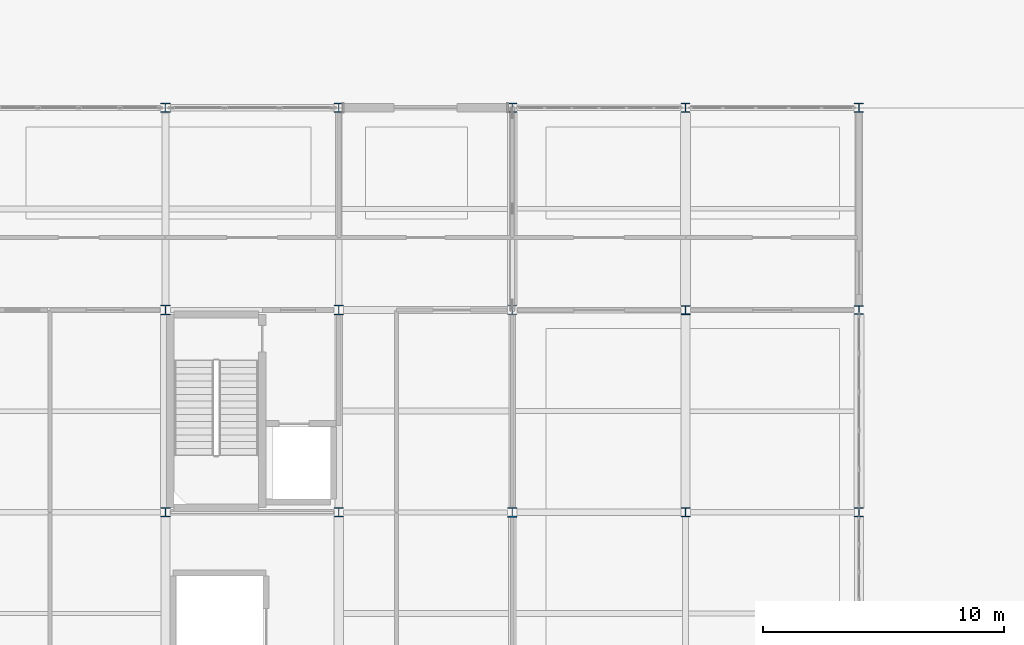
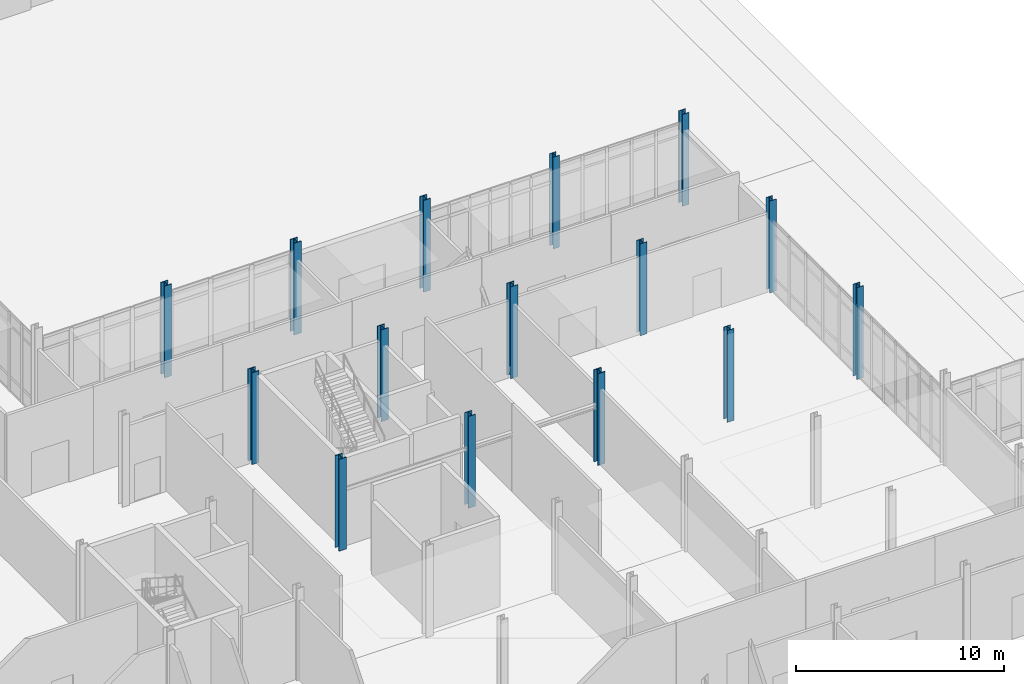
# One storey, part 21 of 229: 15 columns.
"""IFC4 building model written with IfcOpenShell, lengths in metres."""

from ifc_helpers import new_model, si_unit, direction, frame, origin, origin_2d, place, context, subcontext, project, spatial, i_section, extrude, material, material_profile, profile_set, type_object, element, save


model = new_model("IFC4")

# Units and contexts
model_context = context("Model", 3, precision=1e-05, world=origin(), true_north=direction((0.0, 1.0)))
body_context = subcontext(model_context, "Body", "Model", "MODEL_VIEW")
ifc_project = project(units=[si_unit("LENGTHUNIT", "METRE"), si_unit("AREAUNIT", "SQUARE_METRE"), si_unit("VOLUMEUNIT", "CUBIC_METRE"), si_unit("PLANEANGLEUNIT", "RADIAN"), si_unit("MASSUNIT", "GRAM", prefix="KILO")], contexts=[model_context])

# Site, building, storey
site_placement = place(None, origin())
site = spatial("IfcSite", under=ifc_project, at=site_placement, CompositionType="ELEMENT")
building_placement = place(site_placement, origin())
building = spatial("IfcBuilding", under=site, at=building_placement, Name="Calvrana Isthmian Art Gallery", CompositionType="ELEMENT")
storey_placement = place(building_placement, origin())
storey = spatial("IfcBuildingStorey", under=building, at=storey_placement, Name="L00", CompositionType="ELEMENT", Elevation=0.0)

# Columns
ifc_material = material(Name="Steel ASTM A992 Gr 50", Category="steel")
ifc_material_profile_1 = material_profile(ifc_material, i_section(OverallWidth=0.37109375, OverallDepth=0.363037109375, WebThickness=0.01318359375, FlangeThickness=0.021728515625, FilletRadius=0.02490234375, at=origin_2d()), Name="W14X109")
ifc_profile_set_1 = profile_set([ifc_material_profile_1], Name="Steel ASTM A992 Gr 50")
column_type_1 = type_object("IfcColumnType", Name="COL-STL-W14X109", PredefinedType="COLUMN", material=ifc_profile_set_1)
column_1_placement = place(storey_placement, frame((156.0, 30.0, 0.0), z_axis=(0.0, 0.0, 1.0), x_axis=(1.0, 0.0, 0.0)))
element("IfcColumn", 1, at=column_1_placement, inside=storey, type_object=column_type_1, Name="Column 21/E L00", PredefinedType="COLUMN", context=body_context, shape_type="SweptSolid", body=[
    extrude(i_section(OverallWidth=0.37109375, OverallDepth=0.363037109375, WebThickness=0.01318359375, FlangeThickness=0.021728515625, FilletRadius=0.02490234375, at=origin_2d()), origin(), (0.0, 0.0, 1.0), 5.39990234375),
])
ifc_material_profile_2 = material_profile(ifc_material, i_section(OverallWidth=0.373046875, OverallDepth=0.367919921875, WebThickness=0.014892578125, FlangeThickness=0.02392578125, FilletRadius=0.02490234375, at=origin_2d()), Name="W14X120")
ifc_profile_set_2 = profile_set([ifc_material_profile_2], Name="Steel ASTM A992 Gr 50")
column_type_2 = type_object("IfcColumnType", Name="COL-STL-W14X120", PredefinedType="COLUMN", material=ifc_profile_set_2)
for number, where, z_axis, x_axis, name in (
    (2, (148.800048828125, 30.0, 0.0), (0.0, 0.0, 1.0), (1.0, 0.0, 0.0), "Column 20/E L00"),
    (3, (156.0, 38.39990234375, 0.0), (0.0, 0.0, 1.0), (1.0, 0.0, 0.0), "Column 21/F L00"),
):
    element("IfcColumn", number, at=place(storey_placement, frame(where, z_axis=z_axis, x_axis=x_axis)), inside=storey, type_object=column_type_2, Name=name, PredefinedType="COLUMN", context=body_context, shape_type="SweptSolid", body=[
        extrude(i_section(OverallWidth=0.373046875, OverallDepth=0.367919921875, WebThickness=0.014892578125, FlangeThickness=0.02392578125, FilletRadius=0.02490234375, at=origin_2d()), origin(), (0.0, 0.0, 1.0), 5.39990234375),
    ])
ifc_material_profile_3 = material_profile(ifc_material, i_section(OverallWidth=0.373046875, OverallDepth=0.373046875, WebThickness=0.016357421875, FlangeThickness=0.026123046875, FilletRadius=0.02490234375, at=origin_2d()), Name="W14X132")
ifc_profile_set_3 = profile_set([ifc_material_profile_3], Name="Steel ASTM A992 Gr 50")
column_type_3 = type_object("IfcColumnType", Name="COL-STL-W14X132", PredefinedType="COLUMN", material=ifc_profile_set_3)
for number, where, z_axis, x_axis, name in (
    (4, (148.800048828125, 38.39990234375, 0.0), (0.0, 0.0, 1.0), (1.0, 0.0, 0.0), "Column 20/F L00"),
    (5, (156.0, 46.800048828125, 0.0), (0.0, 0.0, 1.0), (1.0, 0.0, 0.0), "Column 21/G L00"),
):
    element("IfcColumn", number, at=place(storey_placement, frame(where, z_axis=z_axis, x_axis=x_axis)), inside=storey, type_object=column_type_3, Name=name, PredefinedType="COLUMN", context=body_context, shape_type="SweptSolid", body=[
        extrude(i_section(OverallWidth=0.373046875, OverallDepth=0.373046875, WebThickness=0.016357421875, FlangeThickness=0.026123046875, FilletRadius=0.02490234375, at=origin_2d()), origin(), (0.0, 0.0, 1.0), 5.39990234375),
    ])
ifc_material_profile_4 = material_profile(ifc_material, i_section(OverallWidth=0.39892578125, OverallDepth=0.385986328125, WebThickness=0.02099609375, FlangeThickness=0.033203125, FilletRadius=0.02490234375, at=origin_2d()), Name="W14X176")
ifc_profile_set_4 = profile_set([ifc_material_profile_4], Name="Steel ASTM A992 Gr 50")
column_type_4 = type_object("IfcColumnType", Name="COL-STL-W14X176", PredefinedType="COLUMN", material=ifc_profile_set_4)
for number, where, z_axis, x_axis, name in (
    (6, (127.199951171875, 46.800048828125, 0.0), (0.0, 0.0, 1.0), (1.0, 0.0, 0.0), "Column 17/G L00"),
    (7, (141.60009765625, 38.39990234375, 0.0), (0.0, 0.0, 1.0), (1.0, 0.0, 0.0), "Column 19/F L00"),
):
    element("IfcColumn", number, at=place(storey_placement, frame(where, z_axis=z_axis, x_axis=x_axis)), inside=storey, type_object=column_type_4, Name=name, PredefinedType="COLUMN", context=body_context, shape_type="SweptSolid", body=[
        extrude(i_section(OverallWidth=0.39892578125, OverallDepth=0.385986328125, WebThickness=0.02099609375, FlangeThickness=0.033203125, FilletRadius=0.02490234375, at=origin_2d()), origin(), (0.0, 0.0, 1.0), 5.39990234375),
    ])
ifc_material_profile_5 = material_profile(ifc_material, i_section(OverallWidth=0.39892578125, OverallDepth=0.39404296875, WebThickness=0.022705078125, FlangeThickness=0.03662109375, FilletRadius=0.02490234375, at=origin_2d()), Name="W14X193")
ifc_profile_set_5 = profile_set([ifc_material_profile_5], Name="Steel ASTM A992 Gr 50")
column_type_5 = type_object("IfcColumnType", Name="COL-STL-W14X193", PredefinedType="COLUMN", material=ifc_profile_set_5)
for number, where, z_axis, x_axis, name in (
    (8, (134.39990234375, 30.0, 0.0), (0.0, 0.0, 1.0), (1.0, 0.0, 0.0), "Column 18/E L00"),
    (9, (141.60009765625, 46.800048828125, 0.0), (0.0, 0.0, 1.0), (1.0, 0.0, 0.0), "Column 19/G L00"),
):
    element("IfcColumn", number, at=place(storey_placement, frame(where, z_axis=z_axis, x_axis=x_axis)), inside=storey, type_object=column_type_5, Name=name, PredefinedType="COLUMN", context=body_context, shape_type="SweptSolid", body=[
        extrude(i_section(OverallWidth=0.39892578125, OverallDepth=0.39404296875, WebThickness=0.022705078125, FlangeThickness=0.03662109375, FilletRadius=0.02490234375, at=origin_2d()), origin(), (0.0, 0.0, 1.0), 5.39990234375),
    ])
ifc_material_profile_6 = material_profile(ifc_material, i_section(OverallWidth=0.40087890625, OverallDepth=0.39892578125, WebThickness=0.02490234375, FlangeThickness=0.03955078125, FilletRadius=0.02490234375, at=origin_2d()), Name="W14X211")
ifc_profile_set_6 = profile_set([ifc_material_profile_6], Name="Steel ASTM A992 Gr 50")
column_type_6 = type_object("IfcColumnType", Name="COL-STL-W14X211", PredefinedType="COLUMN", material=ifc_profile_set_6)
column_2_placement = place(storey_placement, frame((134.39990234375, 38.39990234375, 0.0), z_axis=(0.0, 0.0, 1.0), x_axis=(1.0, 0.0, 0.0)))
element("IfcColumn", 10, at=column_2_placement, inside=storey, type_object=column_type_6, Name="Column 18/F L00", PredefinedType="COLUMN", context=body_context, shape_type="SweptSolid", body=[
    extrude(i_section(OverallWidth=0.40087890625, OverallDepth=0.39892578125, WebThickness=0.02490234375, FlangeThickness=0.03955078125, FilletRadius=0.02490234375, at=origin_2d()), origin(), (0.0, 0.0, 1.0), 5.39990234375),
])
ifc_material_profile_7 = material_profile(ifc_material, i_section(OverallWidth=0.404052734375, OverallDepth=0.406005859375, WebThickness=0.027099609375, FlangeThickness=0.043701171875, FilletRadius=0.02490234375, at=origin_2d()), Name="W14X233")
ifc_profile_set_7 = profile_set([ifc_material_profile_7], Name="Steel ASTM A992 Gr 50")
column_type_7 = type_object("IfcColumnType", Name="COL-STL-W14X233", PredefinedType="COLUMN", material=ifc_profile_set_7)
for number, where, z_axis, x_axis, name in (
    (11, (127.199951171875, 30.0, 0.0), (0.0, 0.0, 1.0), (1.0, 0.0, 0.0), "Column 17/E L00"),
    (12, (134.39990234375, 46.800048828125, 0.0), (0.0, 0.0, 1.0), (1.0, 0.0, 0.0), "Column 18/G L00"),
):
    element("IfcColumn", number, at=place(storey_placement, frame(where, z_axis=z_axis, x_axis=x_axis)), inside=storey, type_object=column_type_7, Name=name, PredefinedType="COLUMN", context=body_context, shape_type="SweptSolid", body=[
        extrude(i_section(OverallWidth=0.404052734375, OverallDepth=0.406005859375, WebThickness=0.027099609375, FlangeThickness=0.043701171875, FilletRadius=0.02490234375, at=origin_2d()), origin(), (0.0, 0.0, 1.0), 5.39990234375),
    ])
ifc_material_profile_8 = material_profile(ifc_material, i_section(OverallWidth=0.406005859375, OverallDepth=0.4169921875, WebThickness=0.02978515625, FlangeThickness=0.048095703125, FilletRadius=0.02490234375, at=origin_2d()), Name="W14X257")
ifc_profile_set_8 = profile_set([ifc_material_profile_8], Name="Steel ASTM A992 Gr 50")
column_type_8 = type_object("IfcColumnType", Name="COL-STL-W14X257", PredefinedType="COLUMN", material=ifc_profile_set_8)
for number, where, z_axis, x_axis, name in (
    (13, (127.199951171875, 38.39990234375, 0.0), (0.0, 0.0, 1.0), (1.0, 0.0, 0.0), "Column 17/F L00"),
    (14, (141.60009765625, 30.0, 0.0), (0.0, 0.0, 1.0), (1.0, 0.0, 0.0), "Column 19/E L00"),
):
    element("IfcColumn", number, at=place(storey_placement, frame(where, z_axis=z_axis, x_axis=x_axis)), inside=storey, type_object=column_type_8, Name=name, PredefinedType="COLUMN", context=body_context, shape_type="SweptSolid", body=[
        extrude(i_section(OverallWidth=0.406005859375, OverallDepth=0.4169921875, WebThickness=0.02978515625, FlangeThickness=0.048095703125, FilletRadius=0.02490234375, at=origin_2d()), origin(), (0.0, 0.0, 1.0), 5.39990234375),
    ])
ifc_material_profile_9 = material_profile(ifc_material, i_section(OverallWidth=0.367919921875, OverallDepth=0.35595703125, WebThickness=0.01123046875, FlangeThickness=0.01806640625, FilletRadius=0.02490234375, at=origin_2d()), Name="W14X90")
ifc_profile_set_9 = profile_set([ifc_material_profile_9], Name="Steel ASTM A992 Gr 50")
column_type_9 = type_object("IfcColumnType", Name="COL-STL-W14X90", PredefinedType="COLUMN", material=ifc_profile_set_9)
column_3_placement = place(storey_placement, frame((148.800048828125, 46.800048828125, 0.0), z_axis=(0.0, 0.0, 1.0), x_axis=(1.0, 0.0, 0.0)))
element("IfcColumn", 15, at=column_3_placement, inside=storey, type_object=column_type_9, Name="Column 20/G L00", PredefinedType="COLUMN", context=body_context, shape_type="SweptSolid", body=[
    extrude(i_section(OverallWidth=0.367919921875, OverallDepth=0.35595703125, WebThickness=0.01123046875, FlangeThickness=0.01806640625, FilletRadius=0.02490234375, at=origin_2d()), origin(), (0.0, 0.0, 1.0), 5.39990234375),
])

save(model, "model.ifc")
